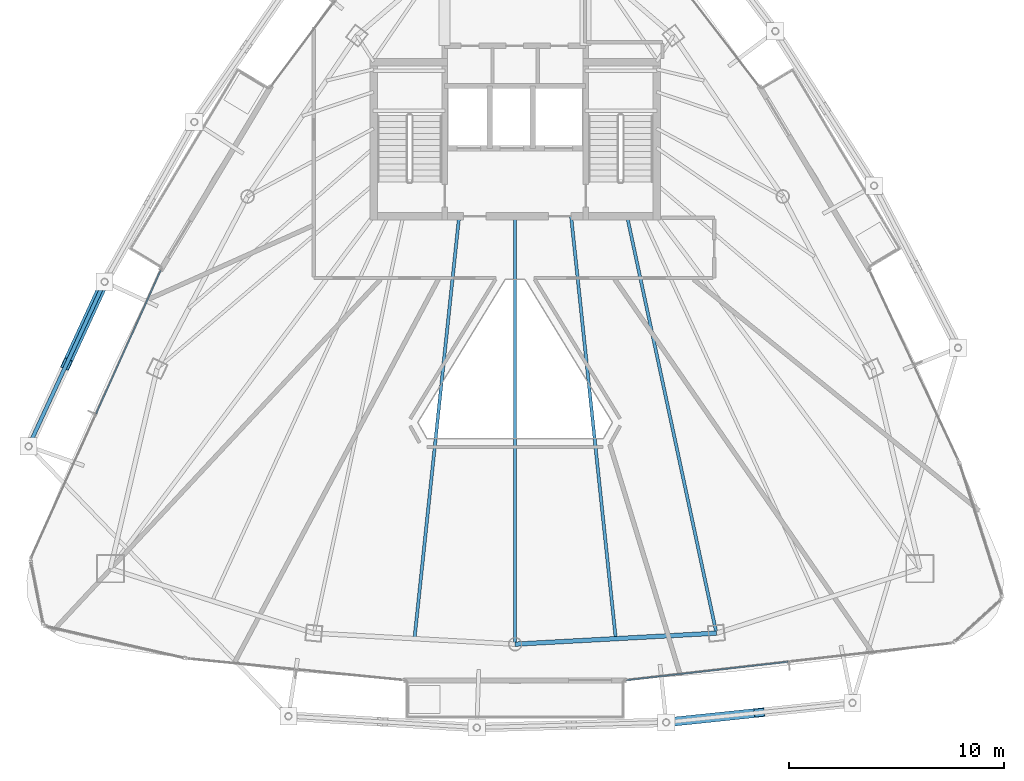
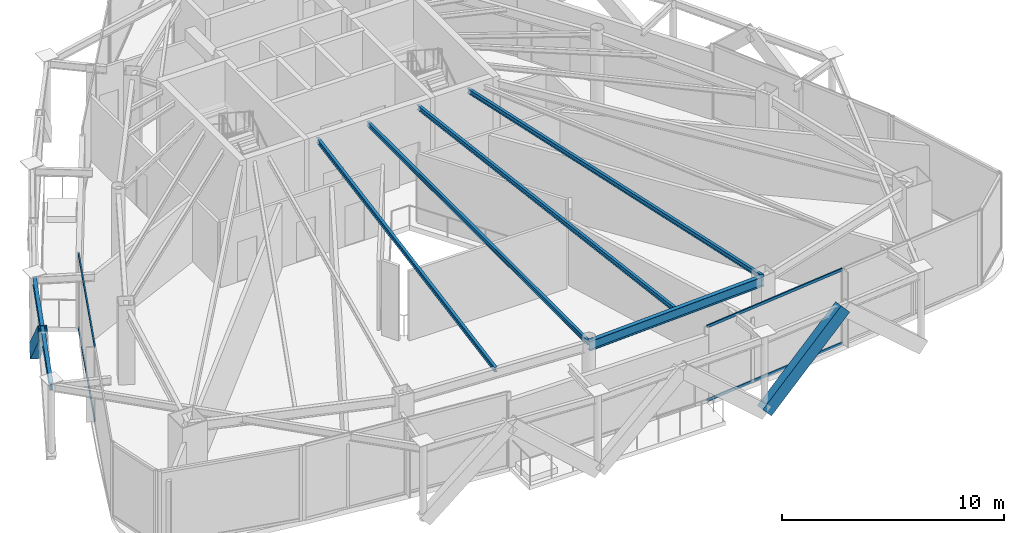
# One storey, part 7 of 25: 6 beams, 6 members, 2 elements without a shape of their own.
"""IFC4 building model written with IfcOpenShell, lengths in metres."""

from ifc_helpers import new_model, si_unit, direction, frame, origin, origin_2d, place, context, subcontext, project, spatial, hollow_rectangle, i_section, extrude, material, layer, layer_set, material_profile, profile_set, type_object, element, aggregate, save


model = new_model("IFC4")

# Units and contexts
model_context = context("Model", 3, precision=1e-05, world=origin(), true_north=direction((0.0, 1.0)))
body_context = subcontext(model_context, "Body", "Model", "MODEL_VIEW")
ifc_project = project(units=[si_unit("LENGTHUNIT", "METRE"), si_unit("AREAUNIT", "SQUARE_METRE"), si_unit("VOLUMEUNIT", "CUBIC_METRE"), si_unit("PLANEANGLEUNIT", "RADIAN"), si_unit("MASSUNIT", "GRAM", prefix="KILO")], contexts=[model_context])

# Site, building, storey
site_placement = place(None, origin())
site = spatial("IfcSite", under=ifc_project, at=site_placement, CompositionType="ELEMENT")
building_placement = place(site_placement, origin())
building = spatial("IfcBuilding", under=site, at=building_placement, Name="Orvanel Arch Residences", CompositionType="ELEMENT")
storey_placement = place(building_placement, frame((0.0, 0.0, 236.0)))
storey = spatial("IfcBuildingStorey", under=building, at=storey_placement, Name="L67", CompositionType="ELEMENT", Elevation=236.0)

# Beams
ifc_material_1 = material(Name="Structural steel AS/NZS 3679.1 Grade 300 (300 MPa)", Category="steel")
ifc_material_profile_1 = material_profile(ifc_material_1, i_section(OverallWidth=0.14599609375, OverallDepth=0.251953125, WebThickness=0.006103515625, FlangeThickness=0.008544921875, at=origin_2d()), Name="250UB31.4")
ifc_profile_set_1 = profile_set([ifc_material_profile_1], Name="Structural steel AS/NZS 3679.1 Grade 300 (300 MPa)")
beam_type_1 = type_object("IfcBeamType", Name="BJ-250UB", PredefinedType="JOIST", material=ifc_profile_set_1)
beam_1_placement = place(storey_placement, frame((38.199951171875, 26.72509765625, 3.98388671875), z_axis=(0.209547604985, -0.977798446125, 0.0), x_axis=(0.977798446125, 0.209547604985, 0.0)))
element("IfcBeam", 1, at=beam_1_placement, inside=storey, type_object=beam_type_1, Name="L67 SE Wing Floor Joist", PredefinedType="JOIST", context=body_context, shape_type="SweptSolid", body=[
    extrude(i_section(OverallWidth=0.14599609375, OverallDepth=0.251953125, WebThickness=0.006103515625, FlangeThickness=0.008544921875, at=origin_2d()), origin(), (0.0, 0.0, 1.0), 19.809814453125),
])
beam_2_placement = place(storey_placement, frame((33.0, 26.72509765625, 3.98388671875), z_axis=(0.0, -1.0, 0.0), x_axis=(1.0, 0.0, 0.0)))
element("IfcBeam", 2, at=beam_2_placement, inside=storey, type_object=beam_type_1, Name="L67 SSW Wing Floor Joist", PredefinedType="JOIST", context=body_context, shape_type="SweptSolid", body=[
    extrude(i_section(OverallWidth=0.14599609375, OverallDepth=0.251953125, WebThickness=0.006103515625, FlangeThickness=0.008544921875, at=origin_2d()), origin(), (0.0, 0.0, 1.0), 19.881103515625),
])
for number, where, z_axis, x_axis, name in (
    (3, (30.39990234375, 26.72509765625, 3.98388671875), (-0.105143936131, -0.994457014, 0.0), (0.994457014, -0.105143936131, 0.0), "L67 WSW2 Wing Floor Joist"),
    (4, (35.60009765625, 26.72509765625, 3.98388671875), (0.105143936131, -0.994457014, 0.0), (0.994457014, 0.105143936131, 0.0), "L67 ESE2 Wing Floor Joist"),
):
    element("IfcBeam", number, at=place(storey_placement, frame(where, z_axis=z_axis, x_axis=x_axis)), inside=storey, type_object=beam_type_1, Name=name, PredefinedType="JOIST", context=body_context, shape_type="SweptSolid", body=[
        extrude(i_section(OverallWidth=0.14599609375, OverallDepth=0.251953125, WebThickness=0.006103515625, FlangeThickness=0.008544921875, at=origin_2d()), origin(), (0.0, 0.0, 1.0), 19.734375),
    ])

# Members
ifc_material_2 = material(Name="Structural steel AS/NZS 3678 Grade 350", Category="steel")
ifc_material_profile_2 = material_profile(ifc_material_2, hollow_rectangle(XDim=0.419921875, YDim=0.719970703125, WallThickness=0.02490234375, at=origin_2d()), Name="RHS720x420x25")
ifc_profile_set_2 = profile_set([ifc_material_profile_2], Name="Structural steel AS/NZS 3678 Grade 350")
member_type_1 = type_object("IfcMemberType", Name="BR-720RHS-EXT", PredefinedType="BRACE", material=ifc_profile_set_2)
member_1_placement = place(storey_placement, frame((13.927978515625, 23.675048828125, 0.0), z_axis=(-0.307168706857, -0.665397568306, 0.680362742675), x_axis=(0.907927122142, -0.419128072167, 0.0)))
element("IfcMember", 5, at=member_1_placement, inside=storey, type_object=member_type_1, Name="L67 Exterior Sky-Garden V-Frame Chevron F1B3.1", PredefinedType="BRACE", context=body_context, shape_type="SweptSolid", body=[
    extrude(hollow_rectangle(XDim=0.419921875, YDim=0.719970703125, WallThickness=0.02490234375, at=origin_2d()), origin(), (0.0, 0.0, 1.0), 5.742431640625),
])
member_2_placement = place(storey_placement, frame((40.014892578125, 3.2109375, 0.0), z_axis=(0.740076275957, 0.077313925038, 0.668064115757), x_axis=(-0.1039020819, 0.99458753128, 0.0)))
element("IfcMember", 6, at=member_2_placement, inside=storey, type_object=member_type_1, Name="L67 Exterior Sky-Garden V-Frame Chevron F2B3.1", PredefinedType="BRACE", context=body_context, shape_type="SweptSolid", body=[
    extrude(hollow_rectangle(XDim=0.419921875, YDim=0.719970703125, WallThickness=0.02490234375, at=origin_2d()), origin(), (0.0, 0.0, 1.0), 5.84814453125),
])

# Beams
ifc_material_profile_3 = material_profile(ifc_material_1, i_section(OverallWidth=0.177978515625, OverallDepth=0.406005859375, WebThickness=0.0078125, FlangeThickness=0.0126953125, at=origin_2d()), Name="410UB59.7")
ifc_profile_set_3 = profile_set([ifc_material_profile_3], Name="Structural steel AS/NZS 3679.1 Grade 300 (300 MPa)")
beam_type_2 = type_object("IfcBeamType", Name="OB-410UB-EXT", PredefinedType="SPANDREL", material=ifc_profile_set_3)
beam_3_placement = place(storey_placement, frame((13.927978515625, 23.675048828125, 3.906982421875), z_axis=(-0.419151981802, -0.907916084311, 0.0), x_axis=(0.907916084311, -0.419151981802, 0.0)))
element("IfcBeam", 7, at=beam_3_placement, inside=storey, type_object=beam_type_2, Name="L67 Outer Perimeter Floor Ring Beam 03", PredefinedType="SPANDREL", context=body_context, shape_type="SweptSolid", body=[
    extrude(i_section(OverallWidth=0.177978515625, OverallDepth=0.406005859375, WebThickness=0.0078125, FlangeThickness=0.0126953125, at=origin_2d()), origin(), (0.0, 0.0, 1.0), 8.417236328125),
])
ifc_material_profile_4 = material_profile(ifc_material_1, i_section(OverallWidth=0.208984375, OverallDepth=0.532958984375, WebThickness=0.01025390625, FlangeThickness=0.015625, at=origin_2d()), Name="530UB92.4")
ifc_profile_set_4 = profile_set([ifc_material_profile_4], Name="Structural steel AS/NZS 3679.1 Grade 300 (300 MPa)")
beam_type_3 = type_object("IfcBeamType", Name="SP-530UB", PredefinedType="SPANDREL", material=ifc_profile_set_4)
beam_4_placement = place(storey_placement, frame((33.0, 6.843994140625, 3.843994140625), z_axis=(0.998510315598, 0.054563262768, 0.0), x_axis=(-0.054563262768, 0.998510315598, 0.0)))
element("IfcBeam", 8, at=beam_4_placement, inside=storey, type_object=beam_type_3, Name="L67 Perimeter Spandrel Beam 04", PredefinedType="SPANDREL", context=body_context, shape_type="SweptSolid", body=[
    extrude(i_section(OverallWidth=0.208984375, OverallDepth=0.532958984375, WebThickness=0.01025390625, FlangeThickness=0.015625, at=origin_2d()), origin(), (0.0, 0.0, 1.0), 9.364990234375),
])

# Curtain wall, members
ifc_material_3 = material(Name="Bronze-anodised aluminium AA6063-T6", Category="aluminium")
ifc_layer = layer(ifc_material_3, 0.195068359375)
ifc_layer_set = layer_set([ifc_layer], Name="Bronze-anodised aluminium AA6063-T6")
curtain_wall_type = type_object("IfcCurtainWallType", Name="CW6-COM-SYS", PredefinedType="NOTDEFINED", material=ifc_layer_set)
curtain_wall_1_placement = place(storey_placement, origin())
curtain_wall_1 = element("IfcCurtainWall", 9, at=curtain_wall_1_placement, inside=storey, type_object=curtain_wall_type, Name="L67 CW6-COM-SYS Unitised Curtain Wall", PredefinedType="NOTDEFINED")
ifc_material_profile_5 = material_profile(ifc_material_3, hollow_rectangle(XDim=0.06494140625, YDim=0.14990234375, WallThickness=0.00390625, at=origin_2d()), Name="ALU150x65x4")
ifc_profile_set_5 = profile_set([ifc_material_profile_5], Name="Bronze-anodised aluminium AA6063-T6")
member_type_2 = type_object("IfcMemberType", Name="TRN-150x65", PredefinedType="USERDEFINED", material=ifc_profile_set_5)
member_3_placement = place(storey_placement, frame((16.5302734375, 24.196533203125, 0.032470703125), z_axis=(-0.410901265918, -0.911679850423, 0.0), x_axis=(0.911679850423, -0.410901265918, 0.0)))
member_3 = element("IfcMember", 10, at=member_3_placement, type_object=member_type_2, Name="CW-S6 transom 1.1", ObjectType="TRANSOM", PredefinedType="USERDEFINED", context=body_context, shape_type="SweptSolid", body=[
    extrude(hollow_rectangle(XDim=0.06494140625, YDim=0.14990234375, WallThickness=0.00390625, at=origin_2d()), origin(), (0.0, 0.0, 1.0), 7.28271484375),
])
member_4_placement = place(storey_placement, frame((16.5302734375, 24.196533203125, 4.077392578125), z_axis=(-0.410901265918, -0.911679850423, 0.0), x_axis=(0.911679850423, -0.410901265918, 0.0)))
member_4 = element("IfcMember", 11, at=member_4_placement, type_object=member_type_2, Name="CW-S6 transom 1.2", ObjectType="TRANSOM", PredefinedType="USERDEFINED", context=body_context, shape_type="SweptSolid", body=[
    extrude(hollow_rectangle(XDim=0.06494140625, YDim=0.14990234375, WallThickness=0.00390625, at=origin_2d()), origin(), (0.0, 0.0, 1.0), 7.28271484375),
])
aggregate(curtain_wall_1, [member_3, member_4])

curtain_wall_2_placement = place(storey_placement, origin())
curtain_wall_2 = element("IfcCurtainWall", 12, at=curtain_wall_2_placement, inside=storey, type_object=curtain_wall_type, Name="L67 CW6-COM-SYS Unitised Curtain Wall", PredefinedType="NOTDEFINED")
member_5_placement = place(storey_placement, frame((38.177490234375, 5.174560546875, 0.032470703125), z_axis=(0.99362603924, 0.112726634583, 0.0), x_axis=(-0.112726634583, 0.99362603924, 0.0)))
member_5 = element("IfcMember", 13, at=member_5_placement, type_object=member_type_2, Name="CW-S6 transom 1.1", ObjectType="TRANSOM", PredefinedType="USERDEFINED", context=body_context, shape_type="SweptSolid", body=[
    extrude(hollow_rectangle(XDim=0.06494140625, YDim=0.14990234375, WallThickness=0.00390625, at=origin_2d()), origin(), (0.0, 0.0, 1.0), 7.541259765625),
])
member_6_placement = place(storey_placement, frame((38.177490234375, 5.174560546875, 4.077392578125), z_axis=(0.99362603924, 0.112726634583, 0.0), x_axis=(-0.112726634583, 0.99362603924, 0.0)))
member_6 = element("IfcMember", 14, at=member_6_placement, type_object=member_type_2, Name="CW-S6 transom 1.2", ObjectType="TRANSOM", PredefinedType="USERDEFINED", context=body_context, shape_type="SweptSolid", body=[
    extrude(hollow_rectangle(XDim=0.06494140625, YDim=0.14990234375, WallThickness=0.00390625, at=origin_2d()), origin(), (0.0, 0.0, 1.0), 7.541259765625),
])
aggregate(curtain_wall_2, [member_5, member_6])

save(model, "model.ifc")
